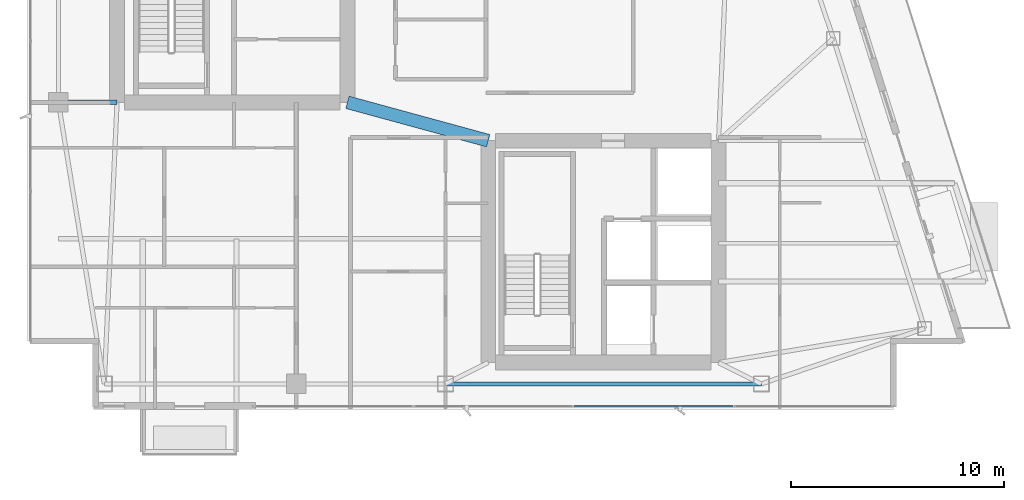
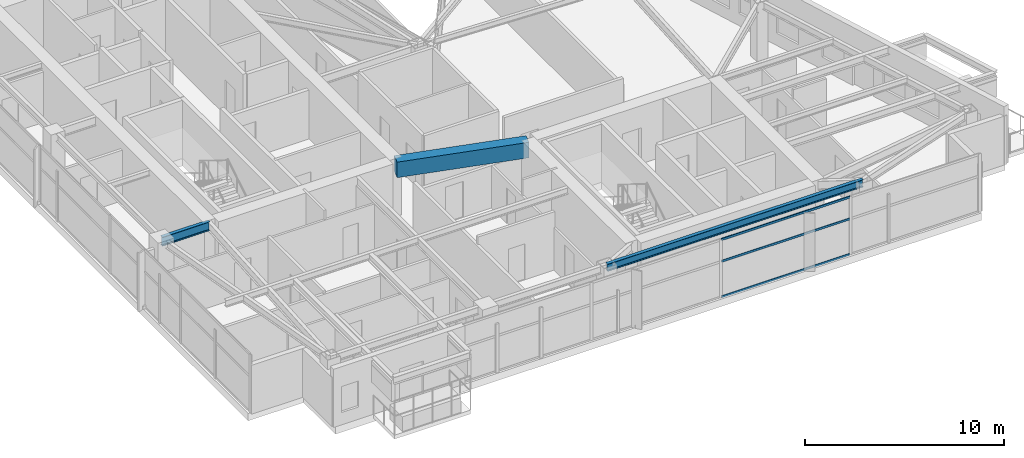
# One storey, part 8 of 28: 3 beams, 3 members, 1 element without a shape of its own.
"""IFC4 building model written with IfcOpenShell, lengths in metres."""

import ifcopenshell
import ifcopenshell.guid

model = None  # the IFC model being written
_history = None  # IfcOwnerHistory: only IFC2X3 demands one
_inside = {}  # id of a spatial element -> (the spatial element, [elements in it])
_under = {}  # id of a project, library or spatial element -> (it, [spatial elements below it])
_declared = {}  # id of a project -> (the project, [libraries it declares])
_typed = {}  # id of a type object -> (the type object, [elements of that type])
_made_of = {}  # id of a material, layer set ... -> (it, [elements and type objects made of it])


def new_model(schema):
    """Start an empty IFC model of exactly this schema.

    Asked for "IFC4X3", IfcOpenShell would pick the latest addendum, in which some entities
    have other attributes; the version numbers below select the first issue.
    IFC2X3 requires an IfcOwnerHistory on every rooted entity: one is made here for all.
    """
    global model, _history
    if schema == "IFC4X3":
        model = ifcopenshell.file(schema_version=(4, 3, 0, 0))
    else:
        model = ifcopenshell.file(schema=schema)
    _inside.clear()
    _under.clear()
    _declared.clear()
    _typed.clear()
    _made_of.clear()
    _history = None
    if model.schema == "IFC2X3":
        org = make("IfcOrganization", Name="unknown")
        user = make(
            "IfcPersonAndOrganization",
            ThePerson=make("IfcPerson", FamilyName="unknown"),
            TheOrganization=org,
        )
        app = make(
            "IfcApplication",
            ApplicationDeveloper=org,
            Version="unknown",
            ApplicationFullName="unknown",
            ApplicationIdentifier="unknown",
        )
        _history = make(
            "IfcOwnerHistory",
            OwningUser=user,
            OwningApplication=app,
            ChangeAction="ADDED",
            CreationDate=0,
        )
    return model


def make(cls, **values):
    """One entity of the class cls with the attributes given. An attribute that is None is left unset."""
    return model.create_entity(
        cls, **{name: value for name, value in values.items() if value is not None}
    )


def rooted(cls, **values):
    """An entity with a GlobalId (a new one), such as an element, a storey or a relation."""
    return make(cls, GlobalId=ifcopenshell.guid.new(), OwnerHistory=_history, **values)


def si_unit(unit_type, name, prefix=None):
    """IfcSIUnit, for example si_unit("LENGTHUNIT", "METRE", prefix="MILLI")."""
    return make("IfcSIUnit", UnitType=unit_type, Prefix=prefix, Name=name)


def assignment(units):
    """IfcUnitAssignment: the units of a project."""
    return None if units is None else make("IfcUnitAssignment", Units=units)


def point(xyz):
    """IfcCartesianPoint."""
    return None if xyz is None else make("IfcCartesianPoint", Coordinates=xyz)


def direction(xyz):
    """IfcDirection."""
    return None if xyz is None else make("IfcDirection", DirectionRatios=xyz)


def frame(location, z_axis=None, x_axis=None):
    """IfcAxis2Placement3D, a coordinate frame: its origin and axes. An axis left out is left unset."""
    return make(
        "IfcAxis2Placement3D",
        Location=point(location),
        Axis=direction(z_axis),
        RefDirection=direction(x_axis),
    )


def frame_2d(location, x_axis=None):
    """IfcAxis2Placement2D, a coordinate frame in the plane: its origin and x axis."""
    return make(
        "IfcAxis2Placement2D", Location=point(location), RefDirection=direction(x_axis)
    )


def origin():
    """The frame at (0, 0, 0) with its axes left unset."""
    return frame((0.0, 0.0, 0.0))


def origin_2d():
    """The frame at (0, 0) in the plane with its x axis left unset."""
    return frame_2d((0.0, 0.0))


def place(relative_to, where):
    """IfcLocalPlacement: puts the frame where relative to a parent placement (None: the world)."""
    return make(
        "IfcLocalPlacement", PlacementRelTo=relative_to, RelativePlacement=where
    )


def context(
    kind, dimensions, precision=None, world=None, true_north=None, identifier=None
):
    """IfcGeometricRepresentationContext, for example the 3D "Model" context."""
    return make(
        "IfcGeometricRepresentationContext",
        ContextIdentifier=identifier,
        ContextType=kind,
        CoordinateSpaceDimension=dimensions,
        Precision=precision,
        WorldCoordinateSystem=world,
        TrueNorth=true_north,
    )


def subcontext(parent, identifier, kind, view, scale=None):
    """IfcGeometricRepresentationSubContext, for example "Body" below "Model"."""
    return make(
        "IfcGeometricRepresentationSubContext",
        ContextIdentifier=identifier,
        ContextType=kind,
        ParentContext=parent,
        TargetScale=scale,
        TargetView=view,
    )


def project(units=None, contexts=None):
    """IfcProject with its units and contexts."""
    return rooted(
        "IfcProject",
        Name="project",
        RepresentationContexts=contexts,
        UnitsInContext=assignment(units),
    )


def spatial(cls, under=None, at=None, **own):
    """A site, building, storey or space (cls), placed at a placement, below another one or the project."""
    s = rooted(cls, ObjectPlacement=at, **own)
    if under is not None:
        _under.setdefault(under.id(), (under, []))[1].append(s)
    return s


def profile(cls, at=None, kind="AREA", **sizes):
    """A parametric profile (cls). Its sizes go by their IFC names, for example OverallWidth=200.0."""
    return make(cls, ProfileType=kind, Position=at, **sizes)


def rectangle(**sizes):
    """IfcRectangleProfileDef."""
    return profile("IfcRectangleProfileDef", **sizes)


def hollow_rectangle(**sizes):
    """IfcRectangleHollowProfileDef."""
    return profile("IfcRectangleHollowProfileDef", **sizes)


def i_section(**sizes):
    """IfcIShapeProfileDef."""
    return profile("IfcIShapeProfileDef", **sizes)


def extrude(swept, where, along, depth):
    """IfcExtrudedAreaSolid: the profile swept, set in the frame where, extruded along a direction by depth."""
    return make(
        "IfcExtrudedAreaSolid",
        SweptArea=swept,
        Position=where,
        ExtrudedDirection=direction(along),
        Depth=depth,
    )


def shape(context_of_items, identifier, shape_type, items):
    """IfcShapeRepresentation: the items that make up one representation, for example the "Body"."""
    return make(
        "IfcShapeRepresentation",
        ContextOfItems=context_of_items,
        RepresentationIdentifier=identifier,
        RepresentationType=shape_type,
        Items=items,
    )


def material(Name=None, Category=None):
    """IfcMaterial."""
    return make("IfcMaterial", Name=Name, Category=Category)


def layer(
    of_material, thickness, ventilated=None, Name=None, Category=None, Priority=None
):
    """IfcMaterialLayer: one layer of a wall or slab, of a material (None: an air gap)."""
    return make(
        "IfcMaterialLayer",
        Material=of_material,
        LayerThickness=thickness,
        IsVentilated=ventilated,
        Name=Name,
        Category=Category,
        Priority=Priority,
    )


def layer_set(layers, Name=None):
    """IfcMaterialLayerSet."""
    return make("IfcMaterialLayerSet", MaterialLayers=layers, LayerSetName=Name)


def material_profile(
    of_material, cross_section, Name=None, Category=None, Priority=None
):
    """IfcMaterialProfile: a cross section and its material."""
    return make(
        "IfcMaterialProfile",
        Name=Name,
        Material=of_material,
        Profile=cross_section,
        Priority=Priority,
        Category=Category,
    )


def profile_set(profiles, Name=None, composite=None):
    """IfcMaterialProfileSet."""
    return make(
        "IfcMaterialProfileSet",
        Name=Name,
        MaterialProfiles=profiles,
        CompositeProfile=composite,
    )


def made_of(thing, what):
    """Note that an element or type object is made of a material, layer set ...; save() writes the relation."""
    if what is not None:
        _made_of.setdefault(what.id(), (what, []))[1].append(thing)
    return thing


def type_object(cls, material=None, **own):
    """A type object (cls), such as IfcWallType, which elements share."""
    return made_of(rooted(cls, **own), material)


def element(
    cls,
    number,
    at=None,
    inside=None,
    cuts=None,
    type_object=None,
    material=None,
    context=None,
    identifier="Body",
    shape_type=None,
    held_by="IfcProductDefinitionShape",
    body=None,
    shapes=None,
    **own,
):
    """One element of the class cls, such as IfcWall. Its Tag is "e" and its number.

    at: its placement. inside: the storey or other place that contains it. cuts: it is an
    opening in that element (IfcRelVoidsElement). A single representation is given by context,
    identifier, shape_type and body (its items); several are given by shapes. held_by: the class
    of the entity that holds the representations. save() writes the other relations.
    """
    e = rooted(cls, Tag="e%d" % number, ObjectPlacement=at, **own)
    if body is not None:
        shapes = [shape(context, identifier, shape_type, body)]
    if shapes is not None:
        e.Representation = make(held_by, Representations=shapes)
    if inside is not None:
        _inside.setdefault(inside.id(), (inside, []))[1].append(e)
    if cuts is not None:
        rooted(
            "IfcRelVoidsElement", RelatingBuildingElement=cuts, RelatedOpeningElement=e
        )
    if type_object is not None:
        _typed.setdefault(type_object.id(), (type_object, []))[1].append(e)
    return made_of(e, material)


def aggregate(whole, parts):
    """IfcRelAggregates: a whole, such as a stair, and the parts it consists of."""
    return rooted("IfcRelAggregates", RelatingObject=whole, RelatedObjects=parts)


def save(model, path):
    """Write the relations noted so far, then the file.

    IfcRelAggregates (storeys below a building ...), IfcRelContainedInSpatialStructure (elements
    in a storey), IfcRelDefinesByType, IfcRelAssociatesMaterial and IfcRelDeclares: one each for
    every whole, place, type object, material and project.
    """
    for whole, parts in _under.values():
        aggregate(whole, parts)
    for where, things in _inside.values():
        rooted(
            "IfcRelContainedInSpatialStructure",
            RelatedElements=things,
            RelatingStructure=where,
        )
    for kind, things in _typed.values():
        rooted("IfcRelDefinesByType", RelatedObjects=things, RelatingType=kind)
    for what, things in _made_of.values():
        rooted("IfcRelAssociatesMaterial", RelatedObjects=things, RelatingMaterial=what)
    for by, libraries in _declared.values():
        rooted("IfcRelDeclares", RelatingContext=by, RelatedDefinitions=libraries)
    model.write(path)


model = new_model("IFC4")

# Units and contexts
model_context = context("Model", 3, precision=1e-05, world=origin(), true_north=direction((0.0, 1.0)))
body_context = subcontext(model_context, "Body", "Model", "MODEL_VIEW")
ifc_project = project(units=[si_unit("LENGTHUNIT", "METRE"), si_unit("AREAUNIT", "SQUARE_METRE"), si_unit("VOLUMEUNIT", "CUBIC_METRE"), si_unit("PLANEANGLEUNIT", "RADIAN"), si_unit("MASSUNIT", "GRAM", prefix="KILO")], contexts=[model_context])

# Site, building, storey
site_placement = place(None, origin())
site = spatial("IfcSite", under=ifc_project, at=site_placement, CompositionType="ELEMENT")
building_placement = place(site_placement, origin())
building = spatial("IfcBuilding", under=site, at=building_placement, Name="Calvorn Quay Hotel", CompositionType="ELEMENT")
storey_placement = place(building_placement, frame((0.0, 0.0, 263.5)))
storey = spatial("IfcBuildingStorey", under=building, at=storey_placement, Name="L65", CompositionType="ELEMENT", Elevation=263.5)

# Beams
ifc_material_1 = material(Name="Steel Q355B", Category="steel")
ifc_material_profile_1 = material_profile(ifc_material_1, i_section(OverallWidth=0.199951171875, OverallDepth=0.550048828125, WebThickness=0.010009765625, FlangeThickness=0.01611328125, FilletRadius=0.01806640625, at=origin_2d()), Name="HN550x200x10x16")
ifc_profile_set_1 = profile_set([ifc_material_profile_1], Name="Steel Q355B")
beam_type_1 = type_object("IfcBeamType", Name="BM-GIRD-UPP", PredefinedType="BEAM", material=ifc_profile_set_1)
beam_1_placement = place(storey_placement, frame((1.449951171875, 16.800048828125, 3.264892578125), z_axis=(1.0, 0.0, 0.0), x_axis=(0.0, 1.0, 0.0)))
element("IfcBeam", 1, at=beam_1_placement, inside=storey, type_object=beam_type_1, Name="Beam BG-L65-W1", PredefinedType="BEAM", context=body_context, shape_type="SweptSolid", body=[
    extrude(i_section(OverallWidth=0.199951171875, OverallDepth=0.550048828125, WebThickness=0.010009765625, FlangeThickness=0.01611328125, FilletRadius=0.01806640625, at=origin_2d()), origin(), (0.0, 0.0, 1.0), 2.75),
])
ifc_material_2 = material(Name="Concrete C45", Category="concrete")
ifc_material_profile_2 = material_profile(ifc_material_2, rectangle(XDim=0.60009765625, YDim=0.949951171875, at=origin_2d()), Name="RCB600x950")
ifc_profile_set_2 = profile_set([ifc_material_profile_2], Name="Concrete C45")
beam_type_2 = type_object("IfcBeamType", Name="BM-RC-LINK-600x950", PredefinedType="BEAM", material=ifc_profile_set_2)
beam_2_placement = place(storey_placement, frame((15.0, 16.800048828125, 3.06494140625), z_axis=(0.964762997686, -0.263120425462, 0.0), x_axis=(0.263120425462, 0.964762997686, 0.0)))
element("IfcBeam", 2, at=beam_2_placement, inside=storey, type_object=beam_type_2, Name="Beam BCL-L65-01", PredefinedType="BEAM", context=body_context, shape_type="SweptSolid", body=[
    extrude(rectangle(XDim=0.60009765625, YDim=0.949951171875, at=origin_2d()), origin(), (0.0, 0.0, 1.0), 6.841064453125),
])
ifc_material_3 = material(Name="Steel Q355B", Category="steel")
ifc_material_profile_3 = material_profile(ifc_material_3, i_section(OverallWidth=0.199951171875, OverallDepth=0.449951171875, WebThickness=0.009033203125, FlangeThickness=0.013916015625, FilletRadius=0.01611328125, at=origin_2d()), Name="HN450x200x9x14")
ifc_profile_set_3 = profile_set([ifc_material_profile_3], Name="Steel Q355B")
beam_type_3 = type_object("IfcBeamType", Name="BM-SPANDREL-Z3", PredefinedType="SPANDREL", material=ifc_profile_set_3)
beam_3_placement = place(storey_placement, frame((19.60009765625, 3.60009765625, 3.31494140625), z_axis=(1.0, 0.0, 0.0), x_axis=(0.0, 1.0, 0.0)))
element("IfcBeam", 3, at=beam_3_placement, inside=storey, type_object=beam_type_3, Name="Beam BSP-L65-S3", PredefinedType="SPANDREL", context=body_context, shape_type="SweptSolid", body=[
    extrude(i_section(OverallWidth=0.199951171875, OverallDepth=0.449951171875, WebThickness=0.009033203125, FlangeThickness=0.013916015625, FilletRadius=0.01611328125, at=origin_2d()), origin(), (0.0, 0.0, 1.0), 14.7998046875),
])

# Curtain wall, members
ifc_material_4 = material(Name="Champagne Bronze Anodised Aluminium and Low-E Glass", Category="aluminium")
ifc_layer = layer(ifc_material_4, 0.219970703125)
ifc_layer_set = layer_set([ifc_layer], Name="CW-SYS-Z4")
curtain_wall_type = type_object("IfcCurtainWallType", Name="CW-SYS-Z4", PredefinedType="NOTDEFINED", material=ifc_layer_set)
curtain_wall_placement = place(storey_placement, origin())
curtain_wall = element("IfcCurtainWall", 4, at=curtain_wall_placement, inside=storey, type_object=curtain_wall_type, Name="Tower South Waterfront Curtain Wall (L65)", PredefinedType="NOTDEFINED")
ifc_material_5 = material(Name="Champagne Bronze Anodised Aluminium 6063-T6", Category="aluminium")
ifc_material_profile_4 = material_profile(ifc_material_5, hollow_rectangle(XDim=0.054931640625, YDim=0.1298828125, WallThickness=0.003173828125, at=origin_2d()), Name="ALU-T130x55x3.2")
ifc_profile_set_4 = profile_set([ifc_material_profile_4], Name="Champagne Bronze Anodised Aluminium 6063-T6")
member_type = type_object("IfcMemberType", Name="CW-SYS-Z4-TRN", PredefinedType="USERDEFINED", material=ifc_profile_set_4)
member_1_placement = place(storey_placement, frame((25.6298828125, 2.550048828125, 0.030029296875), z_axis=(1.0, 0.0, 0.0), x_axis=(0.0, 1.0, 0.0)))
member_1 = element("IfcMember", 5, at=member_1_placement, type_object=member_type, Name="CW-L65-S transom 3.1", ObjectType="TRANSOM", PredefinedType="USERDEFINED", context=body_context, shape_type="SweptSolid", body=[
    extrude(hollow_rectangle(XDim=0.054931640625, YDim=0.1298828125, WallThickness=0.003173828125, at=origin_2d()), origin(), (0.0, 0.0, 1.0), 7.440185546875),
])
member_2_placement = place(storey_placement, frame((25.6298828125, 2.550048828125, 2.199951171875), z_axis=(1.0, 0.0, 0.0), x_axis=(0.0, 1.0, 0.0)))
member_2 = element("IfcMember", 6, at=member_2_placement, type_object=member_type, Name="CW-L65-S transom 3.2", ObjectType="TRANSOM", PredefinedType="USERDEFINED", context=body_context, shape_type="SweptSolid", body=[
    extrude(hollow_rectangle(XDim=0.054931640625, YDim=0.1298828125, WallThickness=0.003173828125, at=origin_2d()), origin(), (0.0, 0.0, 1.0), 7.440185546875),
])
member_3_placement = place(storey_placement, frame((25.6298828125, 2.550048828125, 3.530029296875), z_axis=(1.0, 0.0, 0.0), x_axis=(0.0, 1.0, 0.0)))
member_3 = element("IfcMember", 7, at=member_3_placement, type_object=member_type, Name="CW-L65-S transom 3.3", ObjectType="TRANSOM", PredefinedType="USERDEFINED", context=body_context, shape_type="SweptSolid", body=[
    extrude(hollow_rectangle(XDim=0.054931640625, YDim=0.1298828125, WallThickness=0.003173828125, at=origin_2d()), origin(), (0.0, 0.0, 1.0), 7.440185546875),
])
aggregate(curtain_wall, [member_1, member_2, member_3])

save(model, "model.ifc")
